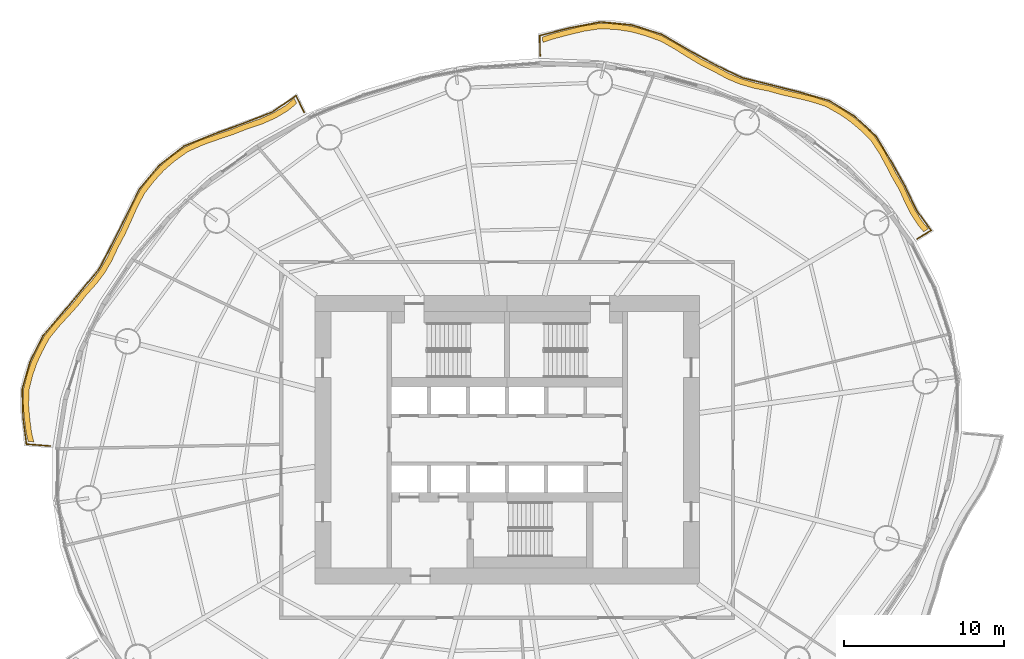
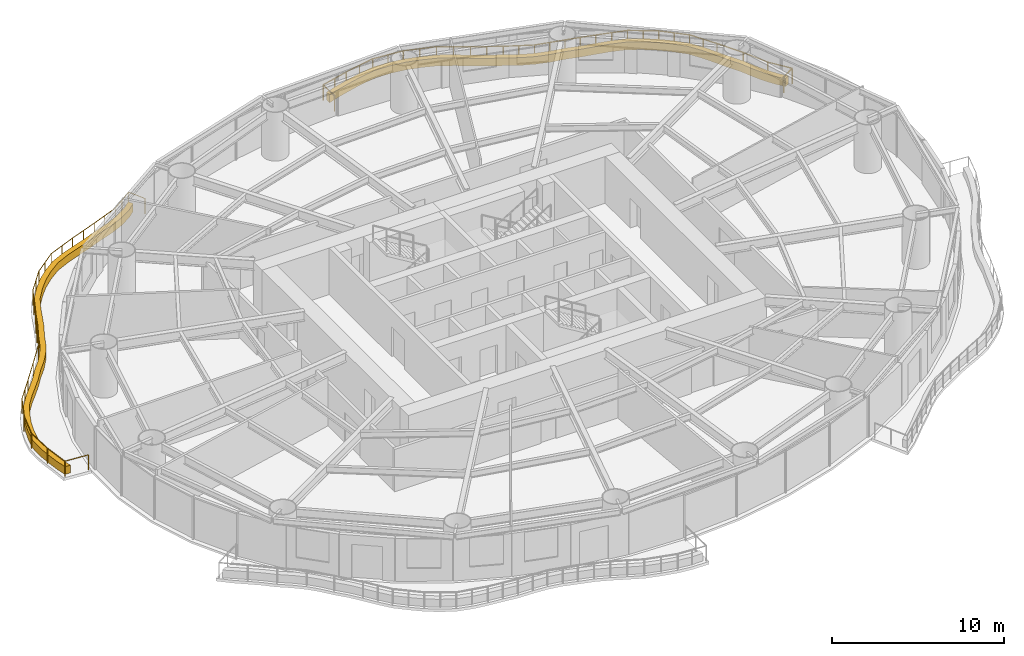
# One storey, part 16 of 16: 2 coverings, 2 railings.
"""IFC4 building model written with IfcOpenShell, lengths in metres."""

import ifcopenshell
import ifcopenshell.guid

model = None  # the IFC model being written
_history = None  # IfcOwnerHistory: only IFC2X3 demands one
_inside = {}  # id of a spatial element -> (the spatial element, [elements in it])
_under = {}  # id of a project, library or spatial element -> (it, [spatial elements below it])
_declared = {}  # id of a project -> (the project, [libraries it declares])
_typed = {}  # id of a type object -> (the type object, [elements of that type])
_made_of = {}  # id of a material, layer set ... -> (it, [elements and type objects made of it])


def new_model(schema):
    """Start an empty IFC model of exactly this schema.

    Asked for "IFC4X3", IfcOpenShell would pick the latest addendum, in which some entities
    have other attributes; the version numbers below select the first issue.
    IFC2X3 requires an IfcOwnerHistory on every rooted entity: one is made here for all.
    """
    global model, _history
    if schema == "IFC4X3":
        model = ifcopenshell.file(schema_version=(4, 3, 0, 0))
    else:
        model = ifcopenshell.file(schema=schema)
    _inside.clear()
    _under.clear()
    _declared.clear()
    _typed.clear()
    _made_of.clear()
    _history = None
    if model.schema == "IFC2X3":
        org = make("IfcOrganization", Name="unknown")
        user = make(
            "IfcPersonAndOrganization",
            ThePerson=make("IfcPerson", FamilyName="unknown"),
            TheOrganization=org,
        )
        app = make(
            "IfcApplication",
            ApplicationDeveloper=org,
            Version="unknown",
            ApplicationFullName="unknown",
            ApplicationIdentifier="unknown",
        )
        _history = make(
            "IfcOwnerHistory",
            OwningUser=user,
            OwningApplication=app,
            ChangeAction="ADDED",
            CreationDate=0,
        )
    return model


def make(cls, **values):
    """One entity of the class cls with the attributes given. An attribute that is None is left unset."""
    return model.create_entity(
        cls, **{name: value for name, value in values.items() if value is not None}
    )


def rooted(cls, **values):
    """An entity with a GlobalId (a new one), such as an element, a storey or a relation."""
    return make(cls, GlobalId=ifcopenshell.guid.new(), OwnerHistory=_history, **values)


def si_unit(unit_type, name, prefix=None):
    """IfcSIUnit, for example si_unit("LENGTHUNIT", "METRE", prefix="MILLI")."""
    return make("IfcSIUnit", UnitType=unit_type, Prefix=prefix, Name=name)


def assignment(units):
    """IfcUnitAssignment: the units of a project."""
    return None if units is None else make("IfcUnitAssignment", Units=units)


def point(xyz):
    """IfcCartesianPoint."""
    return None if xyz is None else make("IfcCartesianPoint", Coordinates=xyz)


def direction(xyz):
    """IfcDirection."""
    return None if xyz is None else make("IfcDirection", DirectionRatios=xyz)


def frame(location, z_axis=None, x_axis=None):
    """IfcAxis2Placement3D, a coordinate frame: its origin and axes. An axis left out is left unset."""
    return make(
        "IfcAxis2Placement3D",
        Location=point(location),
        Axis=direction(z_axis),
        RefDirection=direction(x_axis),
    )


def frame_2d(location, x_axis=None):
    """IfcAxis2Placement2D, a coordinate frame in the plane: its origin and x axis."""
    return make(
        "IfcAxis2Placement2D", Location=point(location), RefDirection=direction(x_axis)
    )


def origin():
    """The frame at (0, 0, 0) with its axes left unset."""
    return frame((0.0, 0.0, 0.0))


def origin_2d():
    """The frame at (0, 0) in the plane with its x axis left unset."""
    return frame_2d((0.0, 0.0))


def place(relative_to, where):
    """IfcLocalPlacement: puts the frame where relative to a parent placement (None: the world)."""
    return make(
        "IfcLocalPlacement", PlacementRelTo=relative_to, RelativePlacement=where
    )


def context(
    kind, dimensions, precision=None, world=None, true_north=None, identifier=None
):
    """IfcGeometricRepresentationContext, for example the 3D "Model" context."""
    return make(
        "IfcGeometricRepresentationContext",
        ContextIdentifier=identifier,
        ContextType=kind,
        CoordinateSpaceDimension=dimensions,
        Precision=precision,
        WorldCoordinateSystem=world,
        TrueNorth=true_north,
    )


def subcontext(parent, identifier, kind, view, scale=None):
    """IfcGeometricRepresentationSubContext, for example "Body" below "Model"."""
    return make(
        "IfcGeometricRepresentationSubContext",
        ContextIdentifier=identifier,
        ContextType=kind,
        ParentContext=parent,
        TargetScale=scale,
        TargetView=view,
    )


def project(units=None, contexts=None):
    """IfcProject with its units and contexts."""
    return rooted(
        "IfcProject",
        Name="project",
        RepresentationContexts=contexts,
        UnitsInContext=assignment(units),
    )


def spatial(cls, under=None, at=None, **own):
    """A site, building, storey or space (cls), placed at a placement, below another one or the project."""
    s = rooted(cls, ObjectPlacement=at, **own)
    if under is not None:
        _under.setdefault(under.id(), (under, []))[1].append(s)
    return s


def polyline(points):
    """IfcPolyline through the points."""
    return make("IfcPolyline", Points=[point(p) for p in points])


def profile(cls, at=None, kind="AREA", **sizes):
    """A parametric profile (cls). Its sizes go by their IFC names, for example OverallWidth=200.0."""
    return make(cls, ProfileType=kind, Position=at, **sizes)


def circle(**sizes):
    """IfcCircleProfileDef."""
    return profile("IfcCircleProfileDef", **sizes)


def outline(outer, holes=None, kind="AREA"):
    """IfcArbitraryClosedProfileDef: a profile drawn as a closed curve; with holes, ...WithVoids."""
    if holes is None:
        return make("IfcArbitraryClosedProfileDef", ProfileType=kind, OuterCurve=outer)
    return make(
        "IfcArbitraryProfileDefWithVoids",
        ProfileType=kind,
        OuterCurve=outer,
        InnerCurves=holes,
    )


def extrude(swept, where, along, depth):
    """IfcExtrudedAreaSolid: the profile swept, set in the frame where, extruded along a direction by depth."""
    return make(
        "IfcExtrudedAreaSolid",
        SweptArea=swept,
        Position=where,
        ExtrudedDirection=direction(along),
        Depth=depth,
    )


def shape(context_of_items, identifier, shape_type, items):
    """IfcShapeRepresentation: the items that make up one representation, for example the "Body"."""
    return make(
        "IfcShapeRepresentation",
        ContextOfItems=context_of_items,
        RepresentationIdentifier=identifier,
        RepresentationType=shape_type,
        Items=items,
    )


def material(Name=None, Category=None):
    """IfcMaterial."""
    return make("IfcMaterial", Name=Name, Category=Category)


def made_of(thing, what):
    """Note that an element or type object is made of a material, layer set ...; save() writes the relation."""
    if what is not None:
        _made_of.setdefault(what.id(), (what, []))[1].append(thing)
    return thing


def type_object(cls, material=None, **own):
    """A type object (cls), such as IfcWallType, which elements share."""
    return made_of(rooted(cls, **own), material)


def element(
    cls,
    number,
    at=None,
    inside=None,
    cuts=None,
    type_object=None,
    material=None,
    context=None,
    identifier="Body",
    shape_type=None,
    held_by="IfcProductDefinitionShape",
    body=None,
    shapes=None,
    **own,
):
    """One element of the class cls, such as IfcWall. Its Tag is "e" and its number.

    at: its placement. inside: the storey or other place that contains it. cuts: it is an
    opening in that element (IfcRelVoidsElement). A single representation is given by context,
    identifier, shape_type and body (its items); several are given by shapes. held_by: the class
    of the entity that holds the representations. save() writes the other relations.
    """
    e = rooted(cls, Tag="e%d" % number, ObjectPlacement=at, **own)
    if body is not None:
        shapes = [shape(context, identifier, shape_type, body)]
    if shapes is not None:
        e.Representation = make(held_by, Representations=shapes)
    if inside is not None:
        _inside.setdefault(inside.id(), (inside, []))[1].append(e)
    if cuts is not None:
        rooted(
            "IfcRelVoidsElement", RelatingBuildingElement=cuts, RelatedOpeningElement=e
        )
    if type_object is not None:
        _typed.setdefault(type_object.id(), (type_object, []))[1].append(e)
    return made_of(e, material)


def aggregate(whole, parts):
    """IfcRelAggregates: a whole, such as a stair, and the parts it consists of."""
    return rooted("IfcRelAggregates", RelatingObject=whole, RelatedObjects=parts)


def save(model, path):
    """Write the relations noted so far, then the file.

    IfcRelAggregates (storeys below a building ...), IfcRelContainedInSpatialStructure (elements
    in a storey), IfcRelDefinesByType, IfcRelAssociatesMaterial and IfcRelDeclares: one each for
    every whole, place, type object, material and project.
    """
    for whole, parts in _under.values():
        aggregate(whole, parts)
    for where, things in _inside.values():
        rooted(
            "IfcRelContainedInSpatialStructure",
            RelatedElements=things,
            RelatingStructure=where,
        )
    for kind, things in _typed.values():
        rooted("IfcRelDefinesByType", RelatedObjects=things, RelatingType=kind)
    for what, things in _made_of.values():
        rooted("IfcRelAssociatesMaterial", RelatedObjects=things, RelatingMaterial=what)
    for by, libraries in _declared.values():
        rooted("IfcRelDeclares", RelatingContext=by, RelatedDefinitions=libraries)
    model.write(path)


model = new_model("IFC4")

# Units and contexts
model_context = context("Model", 3, precision=1e-05, world=origin(), true_north=direction((0.0, 1.0)))
body_context = subcontext(model_context, "Body", "Model", "MODEL_VIEW")
ifc_project = project(units=[si_unit("LENGTHUNIT", "METRE"), si_unit("AREAUNIT", "SQUARE_METRE"), si_unit("VOLUMEUNIT", "CUBIC_METRE"), si_unit("PLANEANGLEUNIT", "RADIAN"), si_unit("MASSUNIT", "GRAM", prefix="KILO")], contexts=[model_context])

# Site, building, storey
site_placement = place(None, origin())
site = spatial("IfcSite", under=ifc_project, at=site_placement, CompositionType="ELEMENT")
building_placement = place(site_placement, origin())
building = spatial("IfcBuilding", under=site, at=building_placement, Name="Vermilion Reach Broadcast Tower", CompositionType="ELEMENT")
storey_placement = place(building_placement, frame((0.0, 0.0, 88.60009765625)))
storey = spatial("IfcBuildingStorey", under=building, at=storey_placement, Name="L19", CompositionType="ELEMENT", Elevation=88.60009765625)

# Coverings
ifc_material_1 = material(Name="Planting soil and greenery")
covering_type = type_object("IfcCoveringType", Name="Balcony PLANTER", PredefinedType="USERDEFINED", material=ifc_material_1)
placement = place(storey_placement, origin())
element("IfcCovering", 1, at=placement, inside=storey, type_object=covering_type, Name="PLANTER L19 group 1", ObjectType="PLANTER", PredefinedType="USERDEFINED", context=body_context, shape_type="SweptSolid", body=[
    extrude(outline(polyline([(20.2890625, 13.170654296875), (19.920166015625, 13.610107421875), (19.49169921875, 14.2724609375), (19.12548828125, 14.97998046875), (18.749755859375, 15.80908203125), (18.276123046875, 16.617431640625), (17.88671875, 17.362548828125), (17.4873046875, 18.09814453125), (16.944091796875, 18.92041015625), (16.23486328125, 19.61865234375), (15.604248046875, 20.151611328125), (14.9189453125, 20.613037109375), (14.0615234375, 21.101806640625), (13.0908203125, 21.417724609375), (12.23291015625, 21.621337890625), (11.370361328125, 21.81689453125), (10.446533203125, 22.07763671875), (9.496337890625, 22.2744140625), (8.657470703125, 22.517578125), (7.85595703125, 22.851318359375), (7.02490234375, 23.302490234375), (6.148193359375, 23.73828125), (5.35595703125, 24.212158203125), (4.569091796875, 24.70654296875), (3.657470703125, 25.216064453125), (2.66650390625, 25.565185546875), (1.78564453125, 25.808349609375), (0.888916015625, 25.94677734375), (-0.15380859375, 25.999755859375), (-1.214111328125, 25.841064453125), (-2.14501953125, 25.615966796875), (-3.076416015625, 25.370361328125), (-3.781005859375, 25.140869140625), (-3.774658203125, 24.791015625), (-3.08935546875, 25.0205078125), (-2.15771484375, 25.26611328125), (-1.22705078125, 25.4912109375), (-0.1865234375, 25.6513671875), (0.836669921875, 25.6005859375), (1.7333984375, 25.46240234375), (2.614501953125, 25.21923828125), (3.585205078125, 24.87353515625), (4.47705078125, 24.368896484375), (5.263671875, 23.87451171875), (6.05615234375, 23.400634765625), (6.912353515625, 22.970947265625), (7.72314453125, 22.52734375), (8.52490234375, 22.193603515625), (9.36376953125, 21.950439453125), (10.29345703125, 21.7626953125), (11.197509765625, 21.5126953125), (12.059814453125, 21.31689453125), (12.917724609375, 21.113525390625), (13.868408203125, 20.81005859375), (14.70654296875, 20.334716796875), (15.391845703125, 19.873291015625), (16.0224609375, 19.340576171875), (16.71240234375, 18.658203125), (17.237548828125, 17.852783203125), (17.636962890625, 17.117431640625), (18.0263671875, 16.3720703125), (18.482421875, 15.583251953125), (18.842041015625, 14.774658203125), (19.208251953125, 14.067138671875), (19.636962890625, 13.40478515625), (19.99072265625, 12.98779296875), (20.2890625, 13.170654296875)])), origin(), (0.0, 0.0, 1.0), 0.5498046875),
])
element("IfcCovering", 2, at=placement, inside=storey, type_object=covering_type, Name="PLANTER L19 group 2", ObjectType="PLANTER", PredefinedType="USERDEFINED", context=body_context, shape_type="SweptSolid", body=[
    extrude(outline(polyline([(-19.29150390625, 21.308837890625), (-19.828125, 20.85595703125), (-20.620361328125, 20.383544921875), (-21.46630859375, 20.00830078125), (-22.425048828125, 19.68359375), (-23.36669921875, 19.313720703125), (-24.26513671875, 19.01123046875), (-25.156005859375, 18.697998046875), (-26.125732421875, 18.26318359375), (-26.9658203125, 17.665283203125), (-27.638671875, 17.083984375), (-28.2421875, 16.42578125), (-28.88427734375, 15.61083984375), (-29.363525390625, 14.699951171875), (-29.7333984375, 13.871826171875), (-30.109375, 13.048828125), (-30.570556640625, 12.195068359375), (-30.9697265625, 11.349365234375), (-31.39892578125, 10.618408203125), (-31.906982421875, 9.939697265625), (-32.534912109375, 9.239990234375), (-33.109375, 8.508544921875), (-33.68408203125, 7.870361328125), (-34.267333984375, 7.236083984375), (-34.8974609375, 6.4541015625), (-35.350830078125, 5.5927734375), (-35.69140625, 4.856689453125), (-35.952880859375, 4.095703125), (-36.18798828125, 3.1396484375), (-36.2021484375, 2.164306640625), (-36.132080078125, 1.355224609375), (-36.028076171875, 0.541015625), (-35.888916015625, -0.098876953125), (-35.5400390625, -0.127197265625), (-35.682373046875, 0.48583984375), (-35.78662109375, 1.300048828125), (-35.856689453125, 2.109130859375), (-35.847412109375, 3.05908203125), (-35.619384765625, 3.989990234375), (-35.357666015625, 4.7509765625), (-35.017333984375, 5.487060546875), (-34.572265625, 6.324951171875), (-33.9521484375, 7.083984375), (-33.368896484375, 7.71826171875), (-32.794189453125, 8.3564453125), (-32.230712890625, 9.06689453125), (-31.615234375, 9.74658203125), (-31.107177734375, 10.42529296875), (-30.677734375, 11.15625), (-30.291748046875, 11.983642578125), (-29.8447265625, 12.81982421875), (-29.46875, 13.642822265625), (-29.098876953125, 14.470947265625), (-28.634033203125, 15.365966796875), (-28.007568359375, 16.166259765625), (-27.40380859375, 16.824462890625), (-26.73095703125, 17.40576171875), (-25.906494140625, 17.990478515625), (-24.952880859375, 18.412841796875), (-24.062255859375, 18.72607421875), (-23.163818359375, 19.028564453125), (-22.238525390625, 19.387451171875), (-21.296875, 19.7021484375), (-20.45068359375, 20.077392578125), (-19.658447265625, 20.5498046875), (-19.138916015625, 20.993896484375), (-19.29150390625, 21.308837890625)])), origin(), (0.0, 0.0, 1.0), 0.5498046875),
])

# Railings
ifc_material_2 = material(Name="Stainless steel 316 balustrade", Category="steel")
railing_type = type_object("IfcRailingType", Name="Balcony guard 1100", PredefinedType="BALUSTRADE", material=ifc_material_2)
railing_1_placement = place(storey_placement, frame((19.590087890625, 12.531494140625, 0.0)))
element("IfcRailing", 3, at=railing_1_placement, inside=storey, type_object=railing_type, Name="Balcony guard L19 group 1", PredefinedType="BALUSTRADE", context=body_context, shape_type="SweptSolid", body=[
    extrude(circle(Radius=0.02490234375, at=origin_2d()), frame((0.0, 0.0, 1.0751953125), z_axis=(0.852402435414, 0.522886305137, 0.0), x_axis=(-0.522886305137, 0.852402435414, 0.0)), (0.0, 0.0, 1.0), 1.02392578125),
    extrude(circle(Radius=0.02490234375, at=origin_2d()), frame((0.872802734375, 0.535400390625, 1.0751953125), z_axis=(-0.58624548148, 0.810133467674, 0.0), x_axis=(-0.810133467674, -0.58624548148, 0.0)), (0.0, 0.0, 1.0), 1.54638671875),
    extrude(circle(Radius=0.02490234375, at=origin_2d()), frame((-0.03369140625, 1.7880859375, 1.0751953125), z_axis=(-0.435482655954, 0.900197120837, 0.0), x_axis=(-0.900197120837, -0.435482655954, 0.0)), (0.0, 0.0, 1.0), 1.712158203125),
    extrude(circle(Radius=0.02490234375, at=origin_2d()), frame((-0.779296875, 3.329345703125, 1.0751953125), z_axis=(-0.48627065866, 0.873808243568, 0.0), x_axis=(-0.873808243568, -0.48627065866, 0.0)), (0.0, 0.0, 1.0), 1.782958984375),
    extrude(circle(Radius=0.02490234375, at=origin_2d()), frame((-1.646240234375, 4.88720703125, 1.0751953125), z_axis=(-0.518402442164, 0.855136777339, 0.0), x_axis=(-0.855136777339, -0.518402442164, 0.0)), (0.0, 0.0, 1.0), 1.826416015625),
    extrude(circle(Radius=0.02490234375, at=origin_2d()), frame((-2.593017578125, 6.448974609375, 1.0751953125), z_axis=(-0.73649860779, 0.676439059135, 0.0), x_axis=(-0.676439059135, -0.73649860779, 0.0)), (0.0, 0.0, 1.0), 1.8251953125),
    extrude(circle(Radius=0.02490234375, at=origin_2d()), frame((-3.937255859375, 7.68359375, 1.0751953125), z_axis=(-0.851339884733, 0.524614525783, 0.0), x_axis=(-0.524614525783, -0.851339884733, 0.0)), (0.0, 0.0, 1.0), 1.8173828125),
    extrude(circle(Radius=0.02490234375, at=origin_2d()), frame((-5.484375, 8.636962890625, 1.0751953125), z_axis=(-0.961717005015, 0.274044526063, 0.0), x_axis=(-0.274044526063, -0.961717005015, 0.0)), (0.0, 0.0, 1.0), 1.906494140625),
    extrude(circle(Radius=0.02490234375, at=origin_2d()), frame((-7.31787109375, 9.159423828125, 1.0751953125), z_axis=(-0.968751799271, 0.248032158014, 0.0), x_axis=(-0.248032158014, -0.968751799271, 0.0)), (0.0, 0.0, 1.0), 1.8486328125),
    extrude(circle(Radius=0.02490234375, at=origin_2d()), frame((-9.108642578125, 9.617919921875, 1.0751953125), z_axis=(-0.970930341924, 0.239362217428, 0.0), x_axis=(-0.239362217428, -0.970930341924, 0.0)), (0.0, 0.0, 1.0), 1.84716796875),
    extrude(circle(Radius=0.02490234375, at=origin_2d()), frame((-10.902099609375, 10.06005859375, 1.0751953125), z_axis=(-0.901359392795, 0.433071870502, 0.0), x_axis=(-0.433071870502, -0.901359392795, 0.0)), (0.0, 0.0, 1.0), 1.81640625),
    extrude(circle(Radius=0.02490234375, at=origin_2d()), frame((-12.539306640625, 10.8466796875, 1.0751953125), z_axis=(-0.878306499402, 0.478097995299, 0.0), x_axis=(-0.478097995299, -0.878306499402, 0.0)), (0.0, 0.0, 1.0), 1.90576171875),
    extrude(circle(Radius=0.02490234375, at=origin_2d()), frame((-14.213134765625, 11.7578125, 1.0751953125), z_axis=(-0.861260612207, 0.508163514886, 0.0), x_axis=(-0.508163514886, -0.861260612207, 0.0)), (0.0, 0.0, 1.0), 1.9775390625),
    extrude(circle(Radius=0.02490234375, at=origin_2d()), frame((-15.916259765625, 12.7626953125, 1.0751953125), z_axis=(-0.953470092707, 0.301487615521, 0.0), x_axis=(-0.301487615521, -0.953470092707, 0.0)), (0.0, 0.0, 1.0), 1.9677734375),
    extrude(circle(Radius=0.02490234375, at=origin_2d()), frame((-17.79248046875, 13.35595703125, 1.0751953125), z_axis=(-0.995151597993, 0.098352920711, 0.0), x_axis=(-0.098352920711, -0.995151597993, 0.0)), (0.0, 0.0, 1.0), 1.95361328125),
    extrude(circle(Radius=0.02490234375, at=origin_2d()), frame((-19.736572265625, 13.548095703125, 1.0751953125), z_axis=(-0.982004733137, -0.188856305419, 0.0), x_axis=(0.188856305419, -0.982004733137, 0.0)), (0.0, 0.0, 1.0), 2.0322265625),
    extrude(circle(Radius=0.02490234375, at=origin_2d()), frame((-21.732177734375, 13.164306640625, 1.0751953125), z_axis=(-0.968469655345, -0.249131544924, 0.0), x_axis=(0.249131544924, -0.968469655345, 0.0)), (0.0, 0.0, 1.0), 1.879638671875),
    extrude(circle(Radius=0.02490234375, at=origin_2d()), frame((-23.552490234375, 12.696044921875, 1.0751953125), z_axis=(0.018182292382, -0.999834688458, 0.0), x_axis=(0.999834688458, 0.018182292382, 0.0)), (0.0, 0.0, 1.0), 1.275634765625),
    extrude(circle(Radius=0.02490234375, at=origin_2d()), origin(), (0.0, 0.0, 1.0), 1.050048828125),
    extrude(circle(Radius=0.02490234375, at=origin_2d()), frame((0.872802734375, 0.535400390625, 0.0)), (0.0, 0.0, 1.0), 1.050048828125),
    extrude(circle(Radius=0.02490234375, at=origin_2d()), frame((-0.03369140625, 1.7880859375, 0.0)), (0.0, 0.0, 1.0), 1.050048828125),
    extrude(circle(Radius=0.02490234375, at=origin_2d()), frame((-0.779296875, 3.329345703125, 0.0)), (0.0, 0.0, 1.0), 1.050048828125),
    extrude(circle(Radius=0.02490234375, at=origin_2d()), frame((-1.646240234375, 4.88720703125, 0.0)), (0.0, 0.0, 1.0), 1.050048828125),
    extrude(circle(Radius=0.02490234375, at=origin_2d()), frame((-2.11962890625, 5.66796875, 0.0)), (0.0, 0.0, 1.0), 1.050048828125),
    extrude(circle(Radius=0.02490234375, at=origin_2d()), frame((-2.593017578125, 6.448974609375, 0.0)), (0.0, 0.0, 1.0), 1.050048828125),
    extrude(circle(Radius=0.02490234375, at=origin_2d()), frame((-3.26513671875, 7.06640625, 0.0)), (0.0, 0.0, 1.0), 1.050048828125),
    extrude(circle(Radius=0.02490234375, at=origin_2d()), frame((-3.937255859375, 7.68359375, 0.0)), (0.0, 0.0, 1.0), 1.050048828125),
    extrude(circle(Radius=0.02490234375, at=origin_2d()), frame((-4.7109375, 8.16015625, 0.0)), (0.0, 0.0, 1.0), 1.050048828125),
    extrude(circle(Radius=0.02490234375, at=origin_2d()), frame((-5.484375, 8.636962890625, 0.0)), (0.0, 0.0, 1.0), 1.050048828125),
    extrude(circle(Radius=0.02490234375, at=origin_2d()), frame((-6.401123046875, 8.898193359375, 0.0)), (0.0, 0.0, 1.0), 1.050048828125),
    extrude(circle(Radius=0.02490234375, at=origin_2d()), frame((-7.31787109375, 9.159423828125, 0.0)), (0.0, 0.0, 1.0), 1.050048828125),
    extrude(circle(Radius=0.02490234375, at=origin_2d()), frame((-8.21337890625, 9.388671875, 0.0)), (0.0, 0.0, 1.0), 1.050048828125),
    extrude(circle(Radius=0.02490234375, at=origin_2d()), frame((-9.108642578125, 9.617919921875, 0.0)), (0.0, 0.0, 1.0), 1.050048828125),
    extrude(circle(Radius=0.02490234375, at=origin_2d()), frame((-10.00537109375, 9.8388671875, 0.0)), (0.0, 0.0, 1.0), 1.050048828125),
    extrude(circle(Radius=0.02490234375, at=origin_2d()), frame((-10.902099609375, 10.06005859375, 0.0)), (0.0, 0.0, 1.0), 1.050048828125),
    extrude(circle(Radius=0.02490234375, at=origin_2d()), frame((-11.720703125, 10.453369140625, 0.0)), (0.0, 0.0, 1.0), 1.050048828125),
    extrude(circle(Radius=0.02490234375, at=origin_2d()), frame((-12.539306640625, 10.8466796875, 0.0)), (0.0, 0.0, 1.0), 1.050048828125),
    extrude(circle(Radius=0.02490234375, at=origin_2d()), frame((-13.376220703125, 11.30224609375, 0.0)), (0.0, 0.0, 1.0), 1.050048828125),
    extrude(circle(Radius=0.02490234375, at=origin_2d()), frame((-14.213134765625, 11.7578125, 0.0)), (0.0, 0.0, 1.0), 1.050048828125),
    extrude(circle(Radius=0.02490234375, at=origin_2d()), frame((-15.064697265625, 12.26025390625, 0.0)), (0.0, 0.0, 1.0), 1.050048828125),
    extrude(circle(Radius=0.02490234375, at=origin_2d()), frame((-15.916259765625, 12.7626953125, 0.0)), (0.0, 0.0, 1.0), 1.050048828125),
    extrude(circle(Radius=0.02490234375, at=origin_2d()), frame((-16.8544921875, 13.059326171875, 0.0)), (0.0, 0.0, 1.0), 1.050048828125),
    extrude(circle(Radius=0.02490234375, at=origin_2d()), frame((-17.79248046875, 13.35595703125, 0.0)), (0.0, 0.0, 1.0), 1.050048828125),
    extrude(circle(Radius=0.02490234375, at=origin_2d()), frame((-18.7646484375, 13.4521484375, 0.0)), (0.0, 0.0, 1.0), 1.050048828125),
    extrude(circle(Radius=0.02490234375, at=origin_2d()), frame((-19.736572265625, 13.548095703125, 0.0)), (0.0, 0.0, 1.0), 1.050048828125),
    extrude(circle(Radius=0.02490234375, at=origin_2d()), frame((-20.734375, 13.356201171875, 0.0)), (0.0, 0.0, 1.0), 1.050048828125),
    extrude(circle(Radius=0.02490234375, at=origin_2d()), frame((-21.732177734375, 13.164306640625, 0.0)), (0.0, 0.0, 1.0), 1.050048828125),
    extrude(circle(Radius=0.02490234375, at=origin_2d()), frame((-22.642333984375, 12.93017578125, 0.0)), (0.0, 0.0, 1.0), 1.050048828125),
    extrude(circle(Radius=0.02490234375, at=origin_2d()), frame((-23.552490234375, 12.696044921875, 0.0)), (0.0, 0.0, 1.0), 1.050048828125),
    extrude(circle(Radius=0.02490234375, at=origin_2d()), frame((-23.529296875, 11.420654296875, 0.0)), (0.0, 0.0, 1.0), 1.050048828125),
])
railing_2_placement = place(storey_placement, frame((-18.66748046875, 20.4326171875, 0.0)))
element("IfcRailing", 4, at=railing_2_placement, inside=storey, type_object=railing_type, Name="Balcony guard L19 group 2", PredefinedType="BALUSTRADE", context=body_context, shape_type="SweptSolid", body=[
    extrude(circle(Radius=0.02490234375, at=origin_2d()), frame((0.0, 0.0, 1.0751953125), z_axis=(-0.435888167404, 0.900000836398, 0.0), x_axis=(-0.900000836398, -0.435888167404, 0.0)), (0.0, 0.0, 1.0), 1.150390625),
    extrude(circle(Radius=0.02490234375, at=origin_2d()), frame((-0.50146484375, 1.035400390625, 1.0751953125), z_axis=(-0.826613994056, -0.562769317599, 0.0), x_axis=(0.562769317599, -0.826613994056, 0.0)), (0.0, 0.0, 1.0), 1.802490234375),
    extrude(circle(Radius=0.02490234375, at=origin_2d()), frame((-1.991455078125, 0.02099609375, 1.0751953125), z_axis=(-0.932186366509, -0.3619786984, 0.0), x_axis=(0.3619786984, -0.932186366509, 0.0)), (0.0, 0.0, 1.0), 1.9404296875),
    extrude(circle(Radius=0.02490234375, at=origin_2d()), frame((-3.80029296875, -0.681396484375, 1.0751953125), z_axis=(-0.939079785982, -0.343699222518, 0.0), x_axis=(0.343699222518, -0.939079785982, 0.0)), (0.0, 0.0, 1.0), 1.96337890625),
    extrude(circle(Radius=0.02490234375, at=origin_2d()), frame((-5.64404296875, -1.356201171875, 1.0751953125), z_axis=(-0.927611267089, -0.373546967823, 0.0), x_axis=(0.373546967823, -0.927611267089, 0.0)), (0.0, 0.0, 1.0), 2.009765625),
    extrude(circle(Radius=0.02490234375, at=origin_2d()), frame((-7.50830078125, -2.10693359375, 1.0751953125), z_axis=(-0.788647583497, -0.614845500141, 0.0), x_axis=(0.614845500141, -0.788647583497, 0.0)), (0.0, 0.0, 1.0), 1.923095703125),
    extrude(circle(Radius=0.02490234375, at=origin_2d()), frame((-9.02490234375, -3.289306640625, 1.0751953125), z_axis=(-0.645902631491, -0.763419799738, 0.0), x_axis=(0.763419799738, -0.645902631491, 0.0)), (0.0, 0.0, 1.0), 1.93408203125),
    extrude(circle(Radius=0.02490234375, at=origin_2d()), frame((-10.274169921875, -4.765869140625, 1.0751953125), z_axis=(-0.439343300744, -0.898319243973, 0.0), x_axis=(0.898319243973, -0.439343300744, 0.0)), (0.0, 0.0, 1.0), 1.93994140625),
    extrude(circle(Radius=0.02490234375, at=origin_2d()), frame((-11.12646484375, -6.508544921875, 1.0751953125), z_axis=(-0.44731752917, -0.894375216616, 0.0), x_axis=(0.894375216616, -0.44731752917, 0.0)), (0.0, 0.0, 1.0), 1.879150390625),
    extrude(circle(Radius=0.02490234375, at=origin_2d()), frame((-11.967041015625, -8.189208984375, 1.0751953125), z_axis=(-0.465329458585, -0.885137557091, 0.0), x_axis=(0.885137557091, -0.465329458585, 0.0)), (0.0, 0.0, 1.0), 1.785888671875),
    extrude(circle(Radius=0.02490234375, at=origin_2d()), frame((-12.798095703125, -9.77001953125, 1.0751953125), z_axis=(-0.635683370794, -0.771949902582, 0.0), x_axis=(0.771949902582, -0.635683370794, 0.0)), (0.0, 0.0, 1.0), 1.791748046875),
    extrude(circle(Radius=0.02490234375, at=origin_2d()), frame((-13.93701171875, -11.153076171875, 1.0751953125), z_axis=(-0.642217700575, -0.76652229261, 0.0), x_axis=(0.76652229261, -0.642217700575, 0.0)), (0.0, 0.0, 1.0), 1.793212890625),
    extrude(circle(Radius=0.02490234375, at=origin_2d()), frame((-15.088623046875, -12.527587890625, 1.0751953125), z_axis=(-0.650017095792, -0.759919584679, 0.0), x_axis=(0.759919584679, -0.650017095792, 0.0)), (0.0, 0.0, 1.0), 1.870361328125),
    extrude(circle(Radius=0.02490234375, at=origin_2d()), frame((-16.304443359375, -13.948974609375, 1.0751953125), z_axis=(-0.444646749207, -0.895706016737, 0.0), x_axis=(0.895706016737, -0.444646749207, 0.0)), (0.0, 0.0, 1.0), 1.789306640625),
    extrude(circle(Radius=0.02490234375, at=origin_2d()), frame((-17.10009765625, -15.5517578125, 1.0751953125), z_axis=(-0.277866340952, -0.960619746084, 0.0), x_axis=(0.960619746084, -0.277866340952, 0.0)), (0.0, 0.0, 1.0), 1.793212890625),
    extrude(circle(Radius=0.02490234375, at=origin_2d()), frame((-17.598388671875, -17.2744140625, 1.0751953125), z_axis=(0.030532601228, -0.999533771447, 0.0), x_axis=(0.999533771447, 0.030532601228, 0.0)), (0.0, 0.0, 1.0), 1.791015625),
    extrude(circle(Radius=0.02490234375, at=origin_2d()), frame((-17.543701171875, -19.064697265625, 1.0751953125), z_axis=(0.129598196962, -0.991566592491, 0.0), x_axis=(0.991566592491, 0.129598196962, 0.0)), (0.0, 0.0, 1.0), 1.652099609375),
    extrude(circle(Radius=0.02490234375, at=origin_2d()), frame((-17.32958984375, -20.702880859375, 1.0751953125), z_axis=(0.996744507086, -0.080624981202, 0.0), x_axis=(0.080624981202, 0.996744507086, 0.0)), (0.0, 0.0, 1.0), 1.510986328125),
    extrude(circle(Radius=0.02490234375, at=origin_2d()), origin(), (0.0, 0.0, 1.0), 1.050048828125),
    extrude(circle(Radius=0.02490234375, at=origin_2d()), frame((-0.50146484375, 1.035400390625, 0.0)), (0.0, 0.0, 1.0), 1.050048828125),
    extrude(circle(Radius=0.02490234375, at=origin_2d()), frame((-1.24658203125, 0.5283203125, 0.0)), (0.0, 0.0, 1.0), 1.050048828125),
    extrude(circle(Radius=0.02490234375, at=origin_2d()), frame((-1.991455078125, 0.02099609375, 0.0)), (0.0, 0.0, 1.0), 1.050048828125),
    extrude(circle(Radius=0.02490234375, at=origin_2d()), frame((-2.89599609375, -0.330078125, 0.0)), (0.0, 0.0, 1.0), 1.050048828125),
    extrude(circle(Radius=0.02490234375, at=origin_2d()), frame((-3.80029296875, -0.681396484375, 0.0)), (0.0, 0.0, 1.0), 1.050048828125),
    extrude(circle(Radius=0.02490234375, at=origin_2d()), frame((-4.72216796875, -1.018798828125, 0.0)), (0.0, 0.0, 1.0), 1.050048828125),
    extrude(circle(Radius=0.02490234375, at=origin_2d()), frame((-5.64404296875, -1.356201171875, 0.0)), (0.0, 0.0, 1.0), 1.050048828125),
    extrude(circle(Radius=0.02490234375, at=origin_2d()), frame((-6.576171875, -1.7314453125, 0.0)), (0.0, 0.0, 1.0), 1.050048828125),
    extrude(circle(Radius=0.02490234375, at=origin_2d()), frame((-7.50830078125, -2.10693359375, 0.0)), (0.0, 0.0, 1.0), 1.050048828125),
    extrude(circle(Radius=0.02490234375, at=origin_2d()), frame((-8.2666015625, -2.6982421875, 0.0)), (0.0, 0.0, 1.0), 1.050048828125),
    extrude(circle(Radius=0.02490234375, at=origin_2d()), frame((-9.02490234375, -3.289306640625, 0.0)), (0.0, 0.0, 1.0), 1.050048828125),
    extrude(circle(Radius=0.02490234375, at=origin_2d()), frame((-9.6494140625, -4.027587890625, 0.0)), (0.0, 0.0, 1.0), 1.050048828125),
    extrude(circle(Radius=0.02490234375, at=origin_2d()), frame((-10.274169921875, -4.765869140625, 0.0)), (0.0, 0.0, 1.0), 1.050048828125),
    extrude(circle(Radius=0.02490234375, at=origin_2d()), frame((-10.7001953125, -5.63720703125, 0.0)), (0.0, 0.0, 1.0), 1.050048828125),
    extrude(circle(Radius=0.02490234375, at=origin_2d()), frame((-11.12646484375, -6.508544921875, 0.0)), (0.0, 0.0, 1.0), 1.050048828125),
    extrude(circle(Radius=0.02490234375, at=origin_2d()), frame((-11.546875, -7.348876953125, 0.0)), (0.0, 0.0, 1.0), 1.050048828125),
    extrude(circle(Radius=0.02490234375, at=origin_2d()), frame((-11.967041015625, -8.189208984375, 0.0)), (0.0, 0.0, 1.0), 1.050048828125),
    extrude(circle(Radius=0.02490234375, at=origin_2d()), frame((-12.798095703125, -9.77001953125, 0.0)), (0.0, 0.0, 1.0), 1.050048828125),
    extrude(circle(Radius=0.02490234375, at=origin_2d()), frame((-13.93701171875, -11.153076171875, 0.0)), (0.0, 0.0, 1.0), 1.050048828125),
    extrude(circle(Radius=0.02490234375, at=origin_2d()), frame((-15.088623046875, -12.527587890625, 0.0)), (0.0, 0.0, 1.0), 1.050048828125),
    extrude(circle(Radius=0.02490234375, at=origin_2d()), frame((-15.696533203125, -13.23828125, 0.0)), (0.0, 0.0, 1.0), 1.050048828125),
    extrude(circle(Radius=0.02490234375, at=origin_2d()), frame((-16.304443359375, -13.948974609375, 0.0)), (0.0, 0.0, 1.0), 1.050048828125),
    extrude(circle(Radius=0.02490234375, at=origin_2d()), frame((-17.10009765625, -15.5517578125, 0.0)), (0.0, 0.0, 1.0), 1.050048828125),
    extrude(circle(Radius=0.02490234375, at=origin_2d()), frame((-17.598388671875, -17.2744140625, 0.0)), (0.0, 0.0, 1.0), 1.050048828125),
    extrude(circle(Radius=0.02490234375, at=origin_2d()), frame((-17.543701171875, -19.064697265625, 0.0)), (0.0, 0.0, 1.0), 1.050048828125),
    extrude(circle(Radius=0.02490234375, at=origin_2d()), frame((-17.32958984375, -20.702880859375, 0.0)), (0.0, 0.0, 1.0), 1.050048828125),
    extrude(circle(Radius=0.02490234375, at=origin_2d()), frame((-15.823486328125, -20.82470703125, 0.0)), (0.0, 0.0, 1.0), 1.050048828125),
])

save(model, "model.ifc")
